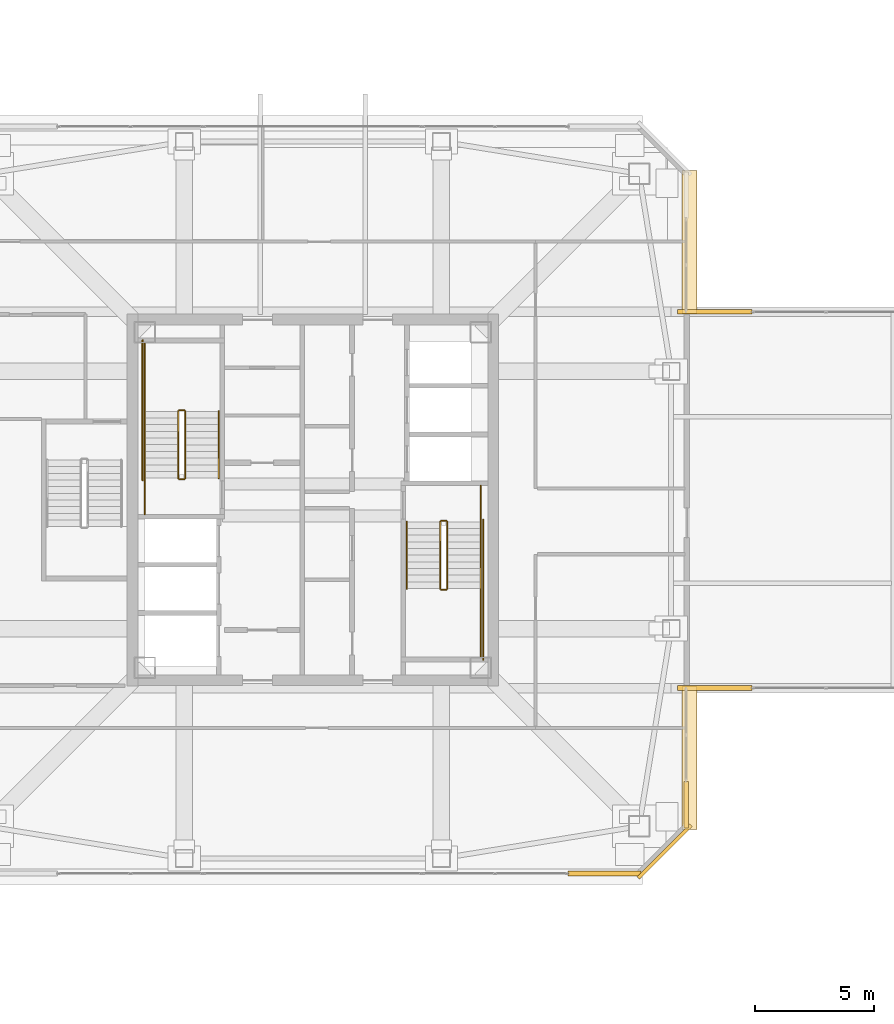
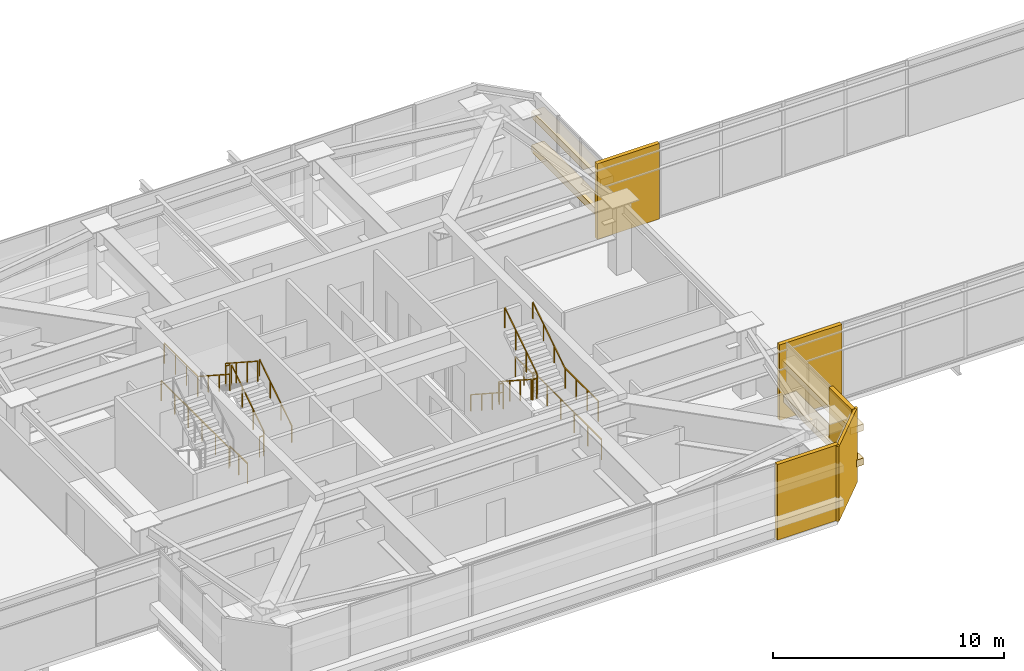
# One storey, part 48 of 51: 18 railings, 9 coverings.
"""IFC4 building model written with IfcOpenShell, lengths in metres."""

from ifc_helpers import new_model, si_unit, direction, frame, origin, origin_2d, place, context, subcontext, project, spatial, rectangle, extrude, material, layer, layer_set, type_object, element, save


model = new_model("IFC4")

# Units and contexts
model_context = context("Model", 3, precision=1e-05, world=origin(), true_north=direction((0.0, 1.0)))
body_context = subcontext(model_context, "Body", "Model", "MODEL_VIEW")
ifc_project = project(units=[si_unit("LENGTHUNIT", "METRE"), si_unit("AREAUNIT", "SQUARE_METRE"), si_unit("VOLUMEUNIT", "CUBIC_METRE"), si_unit("PLANEANGLEUNIT", "RADIAN"), si_unit("MASSUNIT", "GRAM", prefix="KILO")], contexts=[model_context])

# Site, building, storey
site_placement = place(None, origin())
site = spatial("IfcSite", under=ifc_project, at=site_placement, CompositionType="ELEMENT")
building_placement = place(site_placement, origin())
building = spatial("IfcBuilding", under=site, at=building_placement, Name="Tashvorn Skyway Center", CompositionType="ELEMENT")
storey_placement = place(building_placement, frame((0.0, 0.0, 259.39990234375)))
storey = spatial("IfcBuildingStorey", under=building, at=storey_placement, Name="L70", CompositionType="ELEMENT", Elevation=259.39990234375)

# Coverings
ifc_material_1 = material(Name="Precast concrete C40/50", Category="concrete")
ifc_layer_1 = layer(ifc_material_1, 0.199951171875)
ifc_layer_set_1 = layer_set([ifc_layer_1], Name="Precast concrete C40/50")
covering_type_1 = type_object("IfcCoveringType", Name="COV-BRACE-CLAD", PredefinedType="CLADDING", material=ifc_layer_set_1)
covering_1_placement = place(storey_placement, frame((54.248779296875, 16.320068359375, 0.0), z_axis=(0.0, 0.0, 1.0), x_axis=(-1.0, 0.0, 0.0)))
element("IfcCovering", 1, at=covering_1_placement, inside=storey, type_object=covering_type_1, Name="Tower 1 L70 South Unitised Curtain Wall Mega-Brace Cladding Band 1", PredefinedType="CLADDING", context=body_context, shape_type="SweptSolid", body=[
    extrude(rectangle(XDim=3.062255859375, YDim=0.199951171875, at=origin_2d()), origin(), (0.0, 0.0, 1.0), 4.0),
])
covering_2_placement = place(storey_placement, frame((57.679931640625, 19.199951171875, 0.0), z_axis=(0.0, 0.0, 1.0), x_axis=(0.0, -1.0, 0.0)))
element("IfcCovering", 2, at=covering_2_placement, inside=storey, type_object=covering_type_1, Name="Tower 1 L70 East Curtain Wall B Mega-Brace Cladding Band 1", PredefinedType="CLADDING", context=body_context, shape_type="SweptSolid", body=[
    extrude(rectangle(XDim=1.9599609375, YDim=0.199951171875, at=origin_2d()), origin(), (0.0, 0.0, 1.0), 4.0),
])
for number, where, z_axis, x_axis, name in (
    (3, (58.87744140625, 24.10009765625, 0.0), (0.0, 0.0, 1.0), (-1.0, 0.0, 0.0), "Sky-Park L70 Bridge South Curtain Wall Mega-Brace Cladding Band 3"),
    (4, (58.87744140625, 39.89990234375, 0.0), (0.0, 0.0, 1.0), (1.0, 0.0, 0.0), "Sky-Park L70 Bridge North Curtain Wall Mega-Brace Cladding Band 1"),
):
    element("IfcCovering", number, at=place(storey_placement, frame(where, z_axis=z_axis, x_axis=x_axis)), inside=storey, type_object=covering_type_1, Name=name, PredefinedType="CLADDING", context=body_context, shape_type="SweptSolid", body=[
        extrude(rectangle(XDim=3.114990234375, YDim=0.199951171875, at=origin_2d()), origin(), (0.0, 0.0, 1.0), 4.0),
    ])
ifc_material_2 = material(Name="Perforated ceramic-coated bronze aluminium solar screen", Category="aluminium")
ifc_layer_2 = layer(ifc_material_2, 0.85009765625)
ifc_layer_set_2 = layer_set([ifc_layer_2], Name="Perforated ceramic-coated bronze aluminium solar screen")
covering_type_2 = type_object("IfcCoveringType", Name="COV-SOLAR-BAND", PredefinedType="CLADDING", material=ifc_layer_set_2)
for number, where, z_axis, x_axis, name in (
    (5, (57.820068359375, 42.840087890625, 0.919921875), (0.0, 0.0, 1.0), (0.0, -1.0, 0.0), "L70 Perforated Ceramic-Metal Solar Screen Louvre Band East 1"),
    (6, (57.820068359375, 42.840087890625, 2.72021484375), (0.0, 0.0, 1.0), (0.0, -1.0, 0.0), "L70 Perforated Ceramic-Metal Solar Screen Louvre Band East 2"),
    (7, (57.820068359375, 21.159912109375, 0.919921875), (0.0, 0.0, 1.0), (0.0, -1.0, 0.0), "L70 Perforated Ceramic-Metal Solar Screen Louvre Band East 1"),
    (8, (57.820068359375, 21.159912109375, 2.72021484375), (0.0, 0.0, 1.0), (0.0, -1.0, 0.0), "L70 Perforated Ceramic-Metal Solar Screen Louvre Band East 2"),
):
    element("IfcCovering", number, at=place(storey_placement, frame(where, z_axis=z_axis, x_axis=x_axis)), inside=storey, type_object=covering_type_2, Name=name, PredefinedType="CLADDING", context=body_context, shape_type="SweptSolid", body=[
        extrude(rectangle(XDim=6.0, YDim=0.639892578125, at=origin_2d()), origin(), (0.0, 0.0, 1.0), 0.360107421875),
    ])
ifc_layer_3 = layer(ifc_material_1, 0.35009765625)
ifc_layer_set_3 = layer_set([ifc_layer_3], Name="Precast concrete C40/50")
covering_type_3 = type_object("IfcCoveringType", Name="COV-STONE-TRIM", PredefinedType="CLADDING", material=ifc_layer_set_3)
covering_3_placement = place(storey_placement, frame((56.77001953125, 17.22998046875, 0.02001953125), z_axis=(0.0, 0.0, 1.0), x_axis=(0.707106781187, 0.707106781187, 0.0)))
element("IfcCovering", 9, at=covering_3_placement, inside=storey, type_object=covering_type_3, Name="Tower 1 L70 SE Mojave Limestone Corner Quoin", PredefinedType="CLADDING", context=body_context, shape_type="SweptSolid", body=[
    extrude(rectangle(XDim=3.1298828125, YDim=0.139892578125, at=origin_2d()), origin(), (0.0, 0.0, 1.0), 3.9599609375),
])

# Railings
ifc_material_3 = material(Name="Brushed stainless steel 316", Category="steel")
railing_type_1 = type_object("IfcRailingType", Name="RAIL-HAND-920", PredefinedType="HANDRAIL", material=ifc_material_3)
railing_1_placement = place(storey_placement, frame((38.050048828125, 32.919921875, 0.181884765625)))
element("IfcRailing", 10, at=railing_1_placement, inside=storey, type_object=railing_type_1, Name="L70 ST-T1-1 stair handrail 1", PredefinedType="HANDRAIL", context=body_context, shape_type="SweptSolid", body=[
    extrude(rectangle(XDim=0.048095703125, YDim=0.048095703125, at=origin_2d()), frame((0.0, 0.0, 0.8759765625), z_axis=(0.0, 0.838705829183, 0.544584733623), x_axis=(-1.0, 0.0, 0.0)), (0.0, 0.0, 1.0), 3.338623046875),
    extrude(rectangle(XDim=0.0419921875, YDim=0.0419921875, at=origin_2d()), origin(), (0.0, 0.0, 1.0), 0.851806640625),
    extrude(rectangle(XDim=0.0419921875, YDim=0.0419921875, at=origin_2d()), frame((0.0, 0.933349609375, 0.60595703125)), (0.0, 0.0, 1.0), 0.851806640625),
    extrude(rectangle(XDim=0.0419921875, YDim=0.0419921875, at=origin_2d()), frame((0.0, 1.86669921875, 1.212158203125)), (0.0, 0.0, 1.0), 0.851806640625),
    extrude(rectangle(XDim=0.0419921875, YDim=0.0419921875, at=origin_2d()), frame((0.0, 2.800048828125, 1.818115234375)), (0.0, 0.0, 1.0), 0.851806640625),
])
for number, where, name in (
    (11, (34.949951171875, 35.719970703125, 2.181884765625), "L70 ST-T1-1 stair handrail 2"),
    (12, (45.949951171875, 31.080078125, 0.181884765625), "L70 ST-T1-2 stair handrail 1"),
):
    element("IfcRailing", number, at=place(storey_placement, frame(where)), inside=storey, type_object=railing_type_1, Name=name, PredefinedType="HANDRAIL", context=body_context, shape_type="SweptSolid", body=[
        extrude(rectangle(XDim=0.048095703125, YDim=0.048095703125, at=origin_2d()), frame((0.0, 0.0, 0.8759765625), z_axis=(0.0, -0.838705829183, 0.544584733623), x_axis=(1.0, 0.0, 0.0)), (0.0, 0.0, 1.0), 3.338623046875),
        extrude(rectangle(XDim=0.0419921875, YDim=0.0419921875, at=origin_2d()), origin(), (0.0, 0.0, 1.0), 0.851806640625),
        extrude(rectangle(XDim=0.0419921875, YDim=0.0419921875, at=origin_2d()), frame((0.0, -0.933349609375, 0.60595703125)), (0.0, 0.0, 1.0), 0.851806640625),
        extrude(rectangle(XDim=0.0419921875, YDim=0.0419921875, at=origin_2d()), frame((0.0, -1.86669921875, 1.212158203125)), (0.0, 0.0, 1.0), 0.851806640625),
        extrude(rectangle(XDim=0.0419921875, YDim=0.0419921875, at=origin_2d()), frame((0.0, -2.800048828125, 1.818115234375)), (0.0, 0.0, 1.0), 0.851806640625),
    ])
railing_2_placement = place(storey_placement, frame((49.050048828125, 28.280029296875, 2.181884765625)))
element("IfcRailing", 13, at=railing_2_placement, inside=storey, type_object=railing_type_1, Name="L70 ST-T1-2 stair handrail 2", PredefinedType="HANDRAIL", context=body_context, shape_type="SweptSolid", body=[
    extrude(rectangle(XDim=0.048095703125, YDim=0.048095703125, at=origin_2d()), frame((0.0, 0.0, 0.8759765625), z_axis=(0.0, 0.838705829183, 0.544584733623), x_axis=(-1.0, 0.0, 0.0)), (0.0, 0.0, 1.0), 3.338623046875),
    extrude(rectangle(XDim=0.0419921875, YDim=0.0419921875, at=origin_2d()), origin(), (0.0, 0.0, 1.0), 0.851806640625),
    extrude(rectangle(XDim=0.0419921875, YDim=0.0419921875, at=origin_2d()), frame((0.0, 0.933349609375, 0.60595703125)), (0.0, 0.0, 1.0), 0.851806640625),
    extrude(rectangle(XDim=0.0419921875, YDim=0.0419921875, at=origin_2d()), frame((0.0, 1.86669921875, 1.212158203125)), (0.0, 0.0, 1.0), 0.851806640625),
    extrude(rectangle(XDim=0.0419921875, YDim=0.0419921875, at=origin_2d()), frame((0.0, 2.800048828125, 1.818115234375)), (0.0, 0.0, 1.0), 0.851806640625),
])
ifc_material_4 = material(Name="Painted galvanized steel S355", Category="steel")
railing_type_2 = type_object("IfcRailingType", Name="RAIL-STGUARD-1100", PredefinedType="GUARDRAIL", material=ifc_material_4)
railing_3_placement = place(storey_placement, frame((36.64990234375, 32.919921875, 0.181884765625)))
element("IfcRailing", 14, at=railing_3_placement, inside=storey, type_object=railing_type_2, Name="L70 ST-T1-1 stair guard 1", PredefinedType="GUARDRAIL", context=body_context, shape_type="SweptSolid", body=[
    extrude(rectangle(XDim=0.048095703125, YDim=0.048095703125, at=origin_2d()), frame((0.0, 0.0, 1.076171875), z_axis=(0.0, 0.838705829183, 0.544584733623), x_axis=(-1.0, 0.0, 0.0)), (0.0, 0.0, 1.0), 3.338623046875),
    extrude(rectangle(XDim=0.0419921875, YDim=0.0419921875, at=origin_2d()), origin(), (0.0, 0.0, 1.0), 1.052001953125),
    extrude(rectangle(XDim=0.0419921875, YDim=0.0419921875, at=origin_2d()), frame((0.0, 0.933349609375, 0.60595703125)), (0.0, 0.0, 1.0), 1.052001953125),
    extrude(rectangle(XDim=0.0419921875, YDim=0.0419921875, at=origin_2d()), frame((0.0, 1.86669921875, 1.212158203125)), (0.0, 0.0, 1.0), 1.052001953125),
    extrude(rectangle(XDim=0.0419921875, YDim=0.0419921875, at=origin_2d()), frame((0.0, 2.800048828125, 1.818115234375)), (0.0, 0.0, 1.0), 1.052001953125),
])
railing_4_placement = place(storey_placement, frame((36.60009765625, 35.77001953125, 2.0)))
element("IfcRailing", 15, at=railing_4_placement, inside=storey, type_object=railing_type_2, Name="L70 ST-T1-1 stair guard 2", PredefinedType="GUARDRAIL", context=body_context, shape_type="SweptSolid", body=[
    extrude(rectangle(XDim=0.048095703125, YDim=0.048095703125, at=origin_2d()), frame((0.0, 0.0, 1.076171875), z_axis=(-1.0, 0.0, 0.0), x_axis=(0.0, -1.0, 0.0)), (0.0, 0.0, 1.0), 0.2001953125),
    extrude(rectangle(XDim=0.0419921875, YDim=0.0419921875, at=origin_2d()), origin(), (0.0, 0.0, 1.0), 1.052001953125),
    extrude(rectangle(XDim=0.0419921875, YDim=0.0419921875, at=origin_2d()), frame((-0.2001953125, 0.0, 0.0)), (0.0, 0.0, 1.0), 1.052001953125),
])
railing_5_placement = place(storey_placement, frame((34.949951171875, 35.719970703125, 2.0)))
element("IfcRailing", 16, at=railing_5_placement, inside=storey, type_object=railing_type_2, Name="L70 ST-T1-1 stair guard 3", PredefinedType="GUARDRAIL", context=body_context, shape_type="SweptSolid", body=[
    extrude(rectangle(XDim=0.048095703125, YDim=0.048095703125, at=origin_2d()), frame((0.0, 0.0, 1.076171875), z_axis=(0.0, 1.0, 0.0), x_axis=(-1.0, 0.0, 0.0)), (0.0, 0.0, 1.0), 2.880126953125),
    extrude(rectangle(XDim=0.0419921875, YDim=0.0419921875, at=origin_2d()), origin(), (0.0, 0.0, 1.0), 1.052001953125),
    extrude(rectangle(XDim=0.0419921875, YDim=0.0419921875, at=origin_2d()), frame((0.0, 0.9599609375, 0.0)), (0.0, 0.0, 1.0), 1.052001953125),
    extrude(rectangle(XDim=0.0419921875, YDim=0.0419921875, at=origin_2d()), frame((0.0, 1.920166015625, 0.0)), (0.0, 0.0, 1.0), 1.052001953125),
    extrude(rectangle(XDim=0.0419921875, YDim=0.0419921875, at=origin_2d()), frame((0.0, 2.880126953125, 0.0)), (0.0, 0.0, 1.0), 1.052001953125),
])
railing_6_placement = place(storey_placement, frame((36.35009765625, 35.719970703125, 2.181884765625)))
element("IfcRailing", 17, at=railing_6_placement, inside=storey, type_object=railing_type_2, Name="L70 ST-T1-1 stair guard 4", PredefinedType="GUARDRAIL", context=body_context, shape_type="SweptSolid", body=[
    extrude(rectangle(XDim=0.048095703125, YDim=0.048095703125, at=origin_2d()), frame((0.0, 0.0, 1.076171875), z_axis=(0.0, -0.838705829183, 0.544584733623), x_axis=(1.0, 0.0, 0.0)), (0.0, 0.0, 1.0), 3.338623046875),
    extrude(rectangle(XDim=0.0419921875, YDim=0.0419921875, at=origin_2d()), origin(), (0.0, 0.0, 1.0), 1.052001953125),
    extrude(rectangle(XDim=0.0419921875, YDim=0.0419921875, at=origin_2d()), frame((0.0, -0.933349609375, 0.60595703125)), (0.0, 0.0, 1.0), 1.052001953125),
    extrude(rectangle(XDim=0.0419921875, YDim=0.0419921875, at=origin_2d()), frame((0.0, -1.86669921875, 1.212158203125)), (0.0, 0.0, 1.0), 1.052001953125),
    extrude(rectangle(XDim=0.0419921875, YDim=0.0419921875, at=origin_2d()), frame((0.0, -2.800048828125, 1.818115234375)), (0.0, 0.0, 1.0), 1.052001953125),
])
railing_7_placement = place(storey_placement, frame((36.60009765625, 32.8701171875, 0.0)))
element("IfcRailing", 18, at=railing_7_placement, inside=storey, type_object=railing_type_2, Name="L70 ST-T1-1 stair guard 5", PredefinedType="GUARDRAIL", context=body_context, shape_type="SweptSolid", body=[
    extrude(rectangle(XDim=0.048095703125, YDim=0.048095703125, at=origin_2d()), frame((0.0, 0.0, 1.076171875), z_axis=(-1.0, 0.0, 0.0), x_axis=(0.0, -1.0, 0.0)), (0.0, 0.0, 1.0), 0.2001953125),
    extrude(rectangle(XDim=0.0419921875, YDim=0.0419921875, at=origin_2d()), origin(), (0.0, 0.0, 1.0), 1.052001953125),
    extrude(rectangle(XDim=0.0419921875, YDim=0.0419921875, at=origin_2d()), frame((-0.2001953125, 0.0, 0.0)), (0.0, 0.0, 1.0), 1.052001953125),
])
railing_8_placement = place(storey_placement, frame((34.949951171875, 31.39990234375, 0.0)))
element("IfcRailing", 19, at=railing_8_placement, inside=storey, type_object=railing_type_2, Name="L70 ST-T1-1 stair guard 6", PredefinedType="GUARDRAIL", context=body_context, shape_type="SweptSolid", body=[
    extrude(rectangle(XDim=0.048095703125, YDim=0.048095703125, at=origin_2d()), frame((0.0, 0.0, 1.076171875), z_axis=(0.0, 1.0, 0.0), x_axis=(-1.0, 0.0, 0.0)), (0.0, 0.0, 1.0), 1.52001953125),
    extrude(rectangle(XDim=0.0419921875, YDim=0.0419921875, at=origin_2d()), origin(), (0.0, 0.0, 1.0), 1.052001953125),
    extrude(rectangle(XDim=0.0419921875, YDim=0.0419921875, at=origin_2d()), frame((0.0, 0.760009765625, 0.0)), (0.0, 0.0, 1.0), 1.052001953125),
    extrude(rectangle(XDim=0.0419921875, YDim=0.0419921875, at=origin_2d()), frame((0.0, 1.52001953125, 0.0)), (0.0, 0.0, 1.0), 1.052001953125),
])
railing_9_placement = place(storey_placement, frame((34.85009765625, 32.820068359375, 0.0)))
element("IfcRailing", 20, at=railing_9_placement, inside=storey, type_object=railing_type_2, Name="L70 ST-T1-1 stair guard 7", PredefinedType="GUARDRAIL", context=body_context, shape_type="SweptSolid", body=[
    extrude(rectangle(XDim=0.048095703125, YDim=0.048095703125, at=origin_2d()), frame((0.0, 0.0, 1.076171875), z_axis=(0.0, 1.0, 0.0), x_axis=(-1.0, 0.0, 0.0)), (0.0, 0.0, 1.0), 5.8798828125),
    extrude(rectangle(XDim=0.0419921875, YDim=0.0419921875, at=origin_2d()), origin(), (0.0, 0.0, 1.0), 1.052001953125),
    extrude(rectangle(XDim=0.0419921875, YDim=0.0419921875, at=origin_2d()), frame((0.0, 1.176025390625, 0.0)), (0.0, 0.0, 1.0), 1.052001953125),
    extrude(rectangle(XDim=0.0419921875, YDim=0.0419921875, at=origin_2d()), frame((0.0, 2.35205078125, 0.0)), (0.0, 0.0, 1.0), 1.052001953125),
    extrude(rectangle(XDim=0.0419921875, YDim=0.0419921875, at=origin_2d()), frame((0.0, 3.52783203125, 0.0)), (0.0, 0.0, 1.0), 1.052001953125),
    extrude(rectangle(XDim=0.0419921875, YDim=0.0419921875, at=origin_2d()), frame((0.0, 4.703857421875, 0.0)), (0.0, 0.0, 1.0), 1.052001953125),
    extrude(rectangle(XDim=0.0419921875, YDim=0.0419921875, at=origin_2d()), frame((0.0, 5.8798828125, 0.0)), (0.0, 0.0, 1.0), 1.052001953125),
])
railing_10_placement = place(storey_placement, frame((47.35009765625, 31.080078125, 0.181884765625)))
element("IfcRailing", 21, at=railing_10_placement, inside=storey, type_object=railing_type_2, Name="L70 ST-T1-2 stair guard 1", PredefinedType="GUARDRAIL", context=body_context, shape_type="SweptSolid", body=[
    extrude(rectangle(XDim=0.048095703125, YDim=0.048095703125, at=origin_2d()), frame((0.0, 0.0, 1.076171875), z_axis=(0.0, -0.838705829183, 0.544584733623), x_axis=(1.0, 0.0, 0.0)), (0.0, 0.0, 1.0), 3.338623046875),
    extrude(rectangle(XDim=0.0419921875, YDim=0.0419921875, at=origin_2d()), origin(), (0.0, 0.0, 1.0), 1.052001953125),
    extrude(rectangle(XDim=0.0419921875, YDim=0.0419921875, at=origin_2d()), frame((0.0, -0.933349609375, 0.60595703125)), (0.0, 0.0, 1.0), 1.052001953125),
    extrude(rectangle(XDim=0.0419921875, YDim=0.0419921875, at=origin_2d()), frame((0.0, -1.86669921875, 1.212158203125)), (0.0, 0.0, 1.0), 1.052001953125),
    extrude(rectangle(XDim=0.0419921875, YDim=0.0419921875, at=origin_2d()), frame((0.0, -2.800048828125, 1.818115234375)), (0.0, 0.0, 1.0), 1.052001953125),
])
railing_11_placement = place(storey_placement, frame((47.39990234375, 28.22998046875, 2.0)))
element("IfcRailing", 22, at=railing_11_placement, inside=storey, type_object=railing_type_2, Name="L70 ST-T1-2 stair guard 2", PredefinedType="GUARDRAIL", context=body_context, shape_type="SweptSolid", body=[
    extrude(rectangle(XDim=0.048095703125, YDim=0.048095703125, at=origin_2d()), frame((0.0, 0.0, 1.076171875), z_axis=(1.0, 0.0, 0.0), x_axis=(0.0, 1.0, 0.0)), (0.0, 0.0, 1.0), 0.2001953125),
    extrude(rectangle(XDim=0.0419921875, YDim=0.0419921875, at=origin_2d()), origin(), (0.0, 0.0, 1.0), 1.052001953125),
    extrude(rectangle(XDim=0.0419921875, YDim=0.0419921875, at=origin_2d()), frame((0.2001953125, 0.0, 0.0)), (0.0, 0.0, 1.0), 1.052001953125),
])
railing_12_placement = place(storey_placement, frame((49.050048828125, 28.280029296875, 2.0)))
element("IfcRailing", 23, at=railing_12_placement, inside=storey, type_object=railing_type_2, Name="L70 ST-T1-2 stair guard 3", PredefinedType="GUARDRAIL", context=body_context, shape_type="SweptSolid", body=[
    extrude(rectangle(XDim=0.048095703125, YDim=0.048095703125, at=origin_2d()), frame((0.0, 0.0, 1.076171875), z_axis=(0.0, -1.0, 0.0), x_axis=(1.0, 0.0, 0.0)), (0.0, 0.0, 1.0), 2.880126953125),
    extrude(rectangle(XDim=0.0419921875, YDim=0.0419921875, at=origin_2d()), origin(), (0.0, 0.0, 1.0), 1.052001953125),
    extrude(rectangle(XDim=0.0419921875, YDim=0.0419921875, at=origin_2d()), frame((0.0, -0.9599609375, 0.0)), (0.0, 0.0, 1.0), 1.052001953125),
    extrude(rectangle(XDim=0.0419921875, YDim=0.0419921875, at=origin_2d()), frame((0.0, -1.920166015625, 0.0)), (0.0, 0.0, 1.0), 1.052001953125),
    extrude(rectangle(XDim=0.0419921875, YDim=0.0419921875, at=origin_2d()), frame((0.0, -2.880126953125, 0.0)), (0.0, 0.0, 1.0), 1.052001953125),
])
railing_13_placement = place(storey_placement, frame((47.64990234375, 28.280029296875, 2.181884765625)))
element("IfcRailing", 24, at=railing_13_placement, inside=storey, type_object=railing_type_2, Name="L70 ST-T1-2 stair guard 4", PredefinedType="GUARDRAIL", context=body_context, shape_type="SweptSolid", body=[
    extrude(rectangle(XDim=0.048095703125, YDim=0.048095703125, at=origin_2d()), frame((0.0, 0.0, 1.076171875), z_axis=(0.0, 0.838705829183, 0.544584733623), x_axis=(-1.0, 0.0, 0.0)), (0.0, 0.0, 1.0), 3.338623046875),
    extrude(rectangle(XDim=0.0419921875, YDim=0.0419921875, at=origin_2d()), origin(), (0.0, 0.0, 1.0), 1.052001953125),
    extrude(rectangle(XDim=0.0419921875, YDim=0.0419921875, at=origin_2d()), frame((0.0, 0.933349609375, 0.60595703125)), (0.0, 0.0, 1.0), 1.052001953125),
    extrude(rectangle(XDim=0.0419921875, YDim=0.0419921875, at=origin_2d()), frame((0.0, 1.86669921875, 1.212158203125)), (0.0, 0.0, 1.0), 1.052001953125),
    extrude(rectangle(XDim=0.0419921875, YDim=0.0419921875, at=origin_2d()), frame((0.0, 2.800048828125, 1.818115234375)), (0.0, 0.0, 1.0), 1.052001953125),
])
railing_14_placement = place(storey_placement, frame((47.39990234375, 31.1298828125, 0.0)))
element("IfcRailing", 25, at=railing_14_placement, inside=storey, type_object=railing_type_2, Name="L70 ST-T1-2 stair guard 5", PredefinedType="GUARDRAIL", context=body_context, shape_type="SweptSolid", body=[
    extrude(rectangle(XDim=0.048095703125, YDim=0.048095703125, at=origin_2d()), frame((0.0, 0.0, 1.076171875), z_axis=(1.0, 0.0, 0.0), x_axis=(0.0, 1.0, 0.0)), (0.0, 0.0, 1.0), 0.2001953125),
    extrude(rectangle(XDim=0.0419921875, YDim=0.0419921875, at=origin_2d()), origin(), (0.0, 0.0, 1.0), 1.052001953125),
    extrude(rectangle(XDim=0.0419921875, YDim=0.0419921875, at=origin_2d()), frame((0.2001953125, 0.0, 0.0)), (0.0, 0.0, 1.0), 1.052001953125),
])
railing_15_placement = place(storey_placement, frame((49.050048828125, 32.60009765625, 0.0)))
element("IfcRailing", 26, at=railing_15_placement, inside=storey, type_object=railing_type_2, Name="L70 ST-T1-2 stair guard 6", PredefinedType="GUARDRAIL", context=body_context, shape_type="SweptSolid", body=[
    extrude(rectangle(XDim=0.048095703125, YDim=0.048095703125, at=origin_2d()), frame((0.0, 0.0, 1.076171875), z_axis=(0.0, -1.0, 0.0), x_axis=(1.0, 0.0, 0.0)), (0.0, 0.0, 1.0), 1.52001953125),
    extrude(rectangle(XDim=0.0419921875, YDim=0.0419921875, at=origin_2d()), origin(), (0.0, 0.0, 1.0), 1.052001953125),
    extrude(rectangle(XDim=0.0419921875, YDim=0.0419921875, at=origin_2d()), frame((0.0, -0.760009765625, 0.0)), (0.0, 0.0, 1.0), 1.052001953125),
    extrude(rectangle(XDim=0.0419921875, YDim=0.0419921875, at=origin_2d()), frame((0.0, -1.52001953125, 0.0)), (0.0, 0.0, 1.0), 1.052001953125),
])
railing_16_placement = place(storey_placement, frame((49.14990234375, 31.179931640625, 0.0)))
element("IfcRailing", 27, at=railing_16_placement, inside=storey, type_object=railing_type_2, Name="L70 ST-T1-2 stair guard 7", PredefinedType="GUARDRAIL", context=body_context, shape_type="SweptSolid", body=[
    extrude(rectangle(XDim=0.048095703125, YDim=0.048095703125, at=origin_2d()), frame((0.0, 0.0, 1.076171875), z_axis=(0.0, -1.0, 0.0), x_axis=(1.0, 0.0, 0.0)), (0.0, 0.0, 1.0), 5.8798828125),
    extrude(rectangle(XDim=0.0419921875, YDim=0.0419921875, at=origin_2d()), origin(), (0.0, 0.0, 1.0), 1.052001953125),
    extrude(rectangle(XDim=0.0419921875, YDim=0.0419921875, at=origin_2d()), frame((0.0, -1.176025390625, 0.0)), (0.0, 0.0, 1.0), 1.052001953125),
    extrude(rectangle(XDim=0.0419921875, YDim=0.0419921875, at=origin_2d()), frame((0.0, -2.35205078125, 0.0)), (0.0, 0.0, 1.0), 1.052001953125),
    extrude(rectangle(XDim=0.0419921875, YDim=0.0419921875, at=origin_2d()), frame((0.0, -3.52783203125, 0.0)), (0.0, 0.0, 1.0), 1.052001953125),
    extrude(rectangle(XDim=0.0419921875, YDim=0.0419921875, at=origin_2d()), frame((0.0, -4.703857421875, 0.0)), (0.0, 0.0, 1.0), 1.052001953125),
    extrude(rectangle(XDim=0.0419921875, YDim=0.0419921875, at=origin_2d()), frame((0.0, -5.8798828125, 0.0)), (0.0, 0.0, 1.0), 1.052001953125),
])

save(model, "model.ifc")
